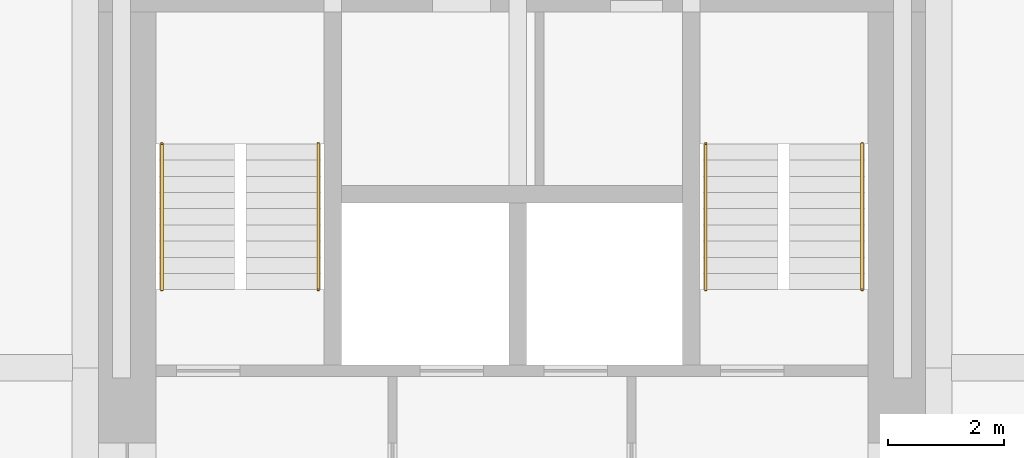
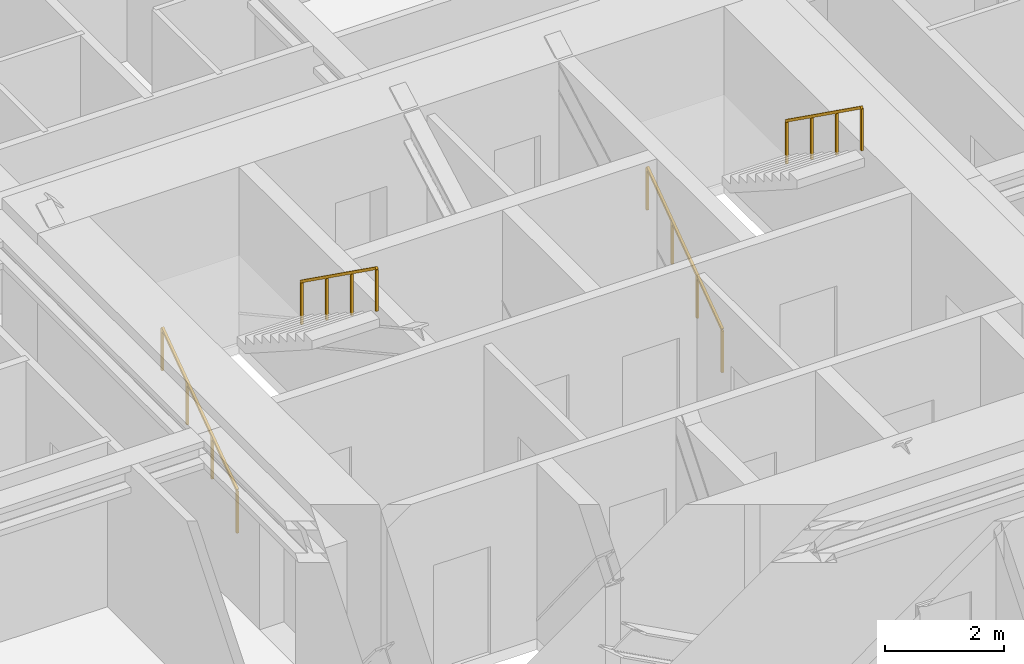
# One storey, part 10 of 10: 4 railings.
"""IFC4 building model written with IfcOpenShell, lengths in metres."""

from ifc_helpers import new_model, si_unit, direction, frame, origin, origin_2d, place, context, subcontext, project, spatial, rectangle, extrude, material, type_object, element, save


model = new_model("IFC4")

# Units and contexts
model_context = context("Model", 3, precision=1e-05, world=origin(), true_north=direction((0.0, 1.0)))
body_context = subcontext(model_context, "Body", "Model", "MODEL_VIEW")
ifc_project = project(units=[si_unit("LENGTHUNIT", "METRE"), si_unit("AREAUNIT", "SQUARE_METRE"), si_unit("VOLUMEUNIT", "CUBIC_METRE"), si_unit("PLANEANGLEUNIT", "RADIAN"), si_unit("MASSUNIT", "GRAM", prefix="KILO")], contexts=[model_context])

# Site, building, storey
site_placement = place(None, origin())
site = spatial("IfcSite", under=ifc_project, at=site_placement, CompositionType="ELEMENT")
building_placement = place(site_placement, origin())
building = spatial("IfcBuilding", under=site, at=building_placement, Name="Nyansa Garden Tower", CompositionType="ELEMENT")
storey_placement = place(building_placement, frame((0.0, 0.0, 153.0)))
storey = spatial("IfcBuildingStorey", under=building, at=storey_placement, Name="L41", CompositionType="ELEMENT", Elevation=153.0)

# Railings
ifc_material = material(Name="Black powder-coated steel tube 48 mm", Category="steel")
railing_type = type_object("IfcRailingType", Name="Stair handrail HR1", PredefinedType="HANDRAIL", material=ifc_material)
railing_1_placement = place(storey_placement, frame((14.199951171875, 21.60009765625, 0.0)))
element("IfcRailing", 1, at=railing_1_placement, inside=storey, type_object=railing_type, Name="Stair S1 handrail L41", PredefinedType="HANDRAIL", context=body_context, shape_type="SweptSolid", body=[
    extrude(rectangle(XDim=0.048095703125, YDim=0.048095703125, at=origin_2d()), frame((0.0, 0.0, 0.8759765625), z_axis=(0.0, 0.813728144527, 0.581245650998), x_axis=(-1.0, 0.0, 0.0)), (0.0, 0.0, 1.0), 3.096923828125),
    extrude(rectangle(XDim=0.0419921875, YDim=0.0419921875, at=origin_2d()), origin(), (0.0, 0.0, 1.0), 0.851806640625),
    extrude(rectangle(XDim=0.0419921875, YDim=0.0419921875, at=origin_2d()), frame((0.0, 0.840087890625, 0.60009765625)), (0.0, 0.0, 1.0), 0.851806640625),
    extrude(rectangle(XDim=0.0419921875, YDim=0.0419921875, at=origin_2d()), frame((0.0, 1.679931640625, 1.199951171875)), (0.0, 0.0, 1.0), 0.851806640625),
    extrude(rectangle(XDim=0.0419921875, YDim=0.0419921875, at=origin_2d()), frame((0.0, 2.52001953125, 1.800048828125)), (0.0, 0.0, 1.0), 0.851806640625),
])
railing_2_placement = place(storey_placement, frame((16.89990234375, 24.1201171875, 1.800048828125)))
element("IfcRailing", 2, at=railing_2_placement, inside=storey, type_object=railing_type, Name="Stair S1 handrail L41", PredefinedType="HANDRAIL", context=body_context, shape_type="SweptSolid", body=[
    extrude(rectangle(XDim=0.048095703125, YDim=0.048095703125, at=origin_2d()), frame((0.0, 0.0, 0.8759765625), z_axis=(0.0, -0.813728144527, 0.581245650998), x_axis=(1.0, 0.0, 0.0)), (0.0, 0.0, 1.0), 3.096923828125),
    extrude(rectangle(XDim=0.0419921875, YDim=0.0419921875, at=origin_2d()), origin(), (0.0, 0.0, 1.0), 0.851806640625),
    extrude(rectangle(XDim=0.0419921875, YDim=0.0419921875, at=origin_2d()), frame((0.0, -0.840087890625, 0.60009765625)), (0.0, 0.0, 1.0), 0.851806640625),
    extrude(rectangle(XDim=0.0419921875, YDim=0.0419921875, at=origin_2d()), frame((0.0, -1.679931640625, 1.199951171875)), (0.0, 0.0, 1.0), 0.851806640625),
    extrude(rectangle(XDim=0.0419921875, YDim=0.0419921875, at=origin_2d()), frame((0.0, -2.52001953125, 1.800048828125)), (0.0, 0.0, 1.0), 0.851806640625),
])
railing_3_placement = place(storey_placement, frame((23.60009765625, 21.60009765625, 0.0)))
element("IfcRailing", 3, at=railing_3_placement, inside=storey, type_object=railing_type, Name="Stair S2 handrail L41", PredefinedType="HANDRAIL", context=body_context, shape_type="SweptSolid", body=[
    extrude(rectangle(XDim=0.048095703125, YDim=0.048095703125, at=origin_2d()), frame((0.0, 0.0, 0.8759765625), z_axis=(0.0, 0.813728144527, 0.581245650998), x_axis=(-1.0, 0.0, 0.0)), (0.0, 0.0, 1.0), 3.096923828125),
    extrude(rectangle(XDim=0.0419921875, YDim=0.0419921875, at=origin_2d()), origin(), (0.0, 0.0, 1.0), 0.851806640625),
    extrude(rectangle(XDim=0.0419921875, YDim=0.0419921875, at=origin_2d()), frame((0.0, 0.840087890625, 0.60009765625)), (0.0, 0.0, 1.0), 0.851806640625),
    extrude(rectangle(XDim=0.0419921875, YDim=0.0419921875, at=origin_2d()), frame((0.0, 1.679931640625, 1.199951171875)), (0.0, 0.0, 1.0), 0.851806640625),
    extrude(rectangle(XDim=0.0419921875, YDim=0.0419921875, at=origin_2d()), frame((0.0, 2.52001953125, 1.800048828125)), (0.0, 0.0, 1.0), 0.851806640625),
])
railing_4_placement = place(storey_placement, frame((26.300048828125, 24.1201171875, 1.800048828125)))
element("IfcRailing", 4, at=railing_4_placement, inside=storey, type_object=railing_type, Name="Stair S2 handrail L41", PredefinedType="HANDRAIL", context=body_context, shape_type="SweptSolid", body=[
    extrude(rectangle(XDim=0.048095703125, YDim=0.048095703125, at=origin_2d()), frame((0.0, 0.0, 0.8759765625), z_axis=(0.0, -0.813728144527, 0.581245650998), x_axis=(1.0, 0.0, 0.0)), (0.0, 0.0, 1.0), 3.096923828125),
    extrude(rectangle(XDim=0.0419921875, YDim=0.0419921875, at=origin_2d()), origin(), (0.0, 0.0, 1.0), 0.851806640625),
    extrude(rectangle(XDim=0.0419921875, YDim=0.0419921875, at=origin_2d()), frame((0.0, -0.840087890625, 0.60009765625)), (0.0, 0.0, 1.0), 0.851806640625),
    extrude(rectangle(XDim=0.0419921875, YDim=0.0419921875, at=origin_2d()), frame((0.0, -1.679931640625, 1.199951171875)), (0.0, 0.0, 1.0), 0.851806640625),
    extrude(rectangle(XDim=0.0419921875, YDim=0.0419921875, at=origin_2d()), frame((0.0, -2.52001953125, 1.800048828125)), (0.0, 0.0, 1.0), 0.851806640625),
])

save(model, "model.ifc")
